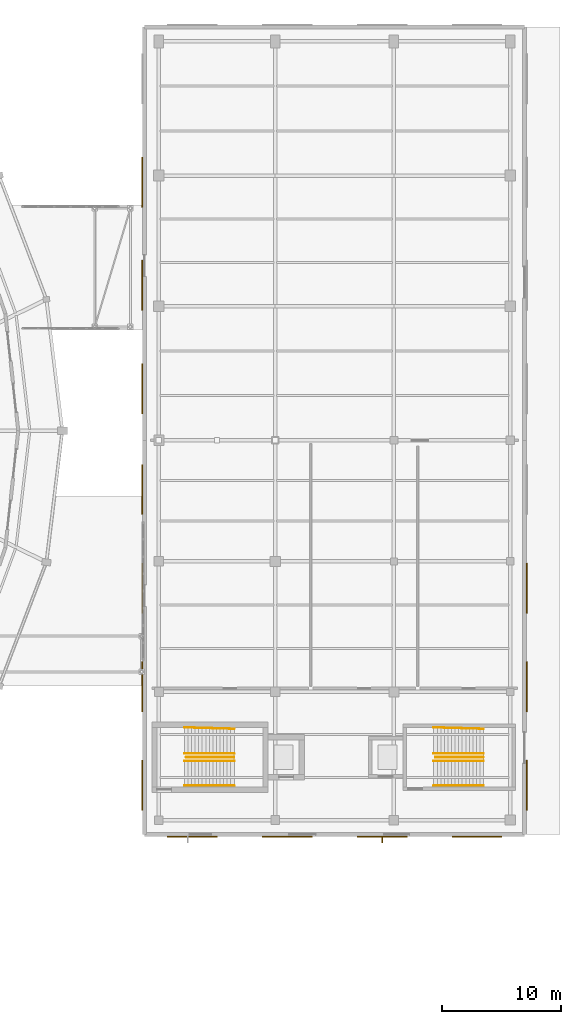
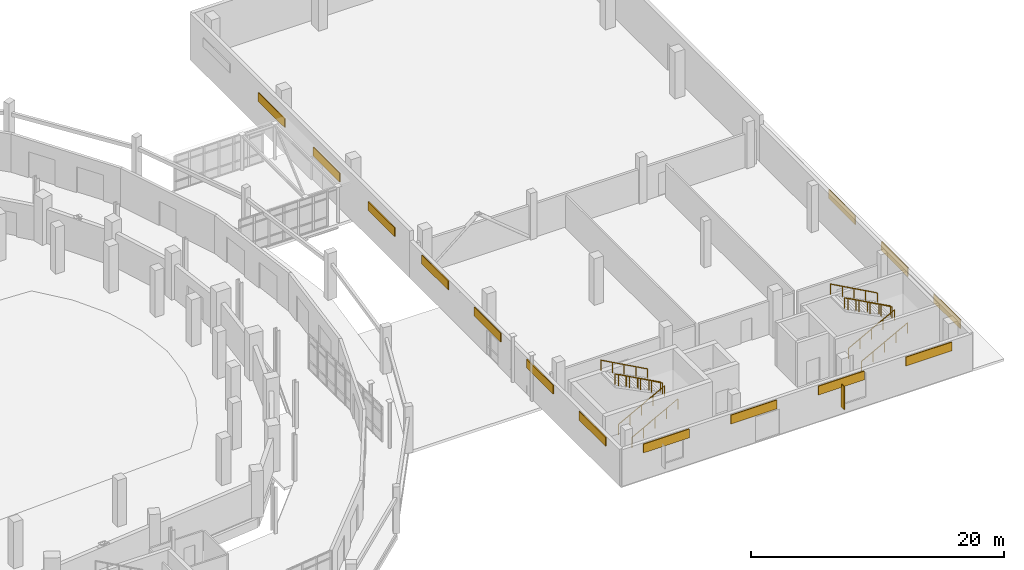
# One storey, part 120 of 122: 14 coverings, 10 railings, 1 shading device.
"""IFC4 building model written with IfcOpenShell, lengths in metres."""

import ifcopenshell
import ifcopenshell.guid

model = None  # the IFC model being written
_history = None  # IfcOwnerHistory: only IFC2X3 demands one
_inside = {}  # id of a spatial element -> (the spatial element, [elements in it])
_under = {}  # id of a project, library or spatial element -> (it, [spatial elements below it])
_declared = {}  # id of a project -> (the project, [libraries it declares])
_typed = {}  # id of a type object -> (the type object, [elements of that type])
_made_of = {}  # id of a material, layer set ... -> (it, [elements and type objects made of it])


def new_model(schema):
    """Start an empty IFC model of exactly this schema.

    Asked for "IFC4X3", IfcOpenShell would pick the latest addendum, in which some entities
    have other attributes; the version numbers below select the first issue.
    IFC2X3 requires an IfcOwnerHistory on every rooted entity: one is made here for all.
    """
    global model, _history
    if schema == "IFC4X3":
        model = ifcopenshell.file(schema_version=(4, 3, 0, 0))
    else:
        model = ifcopenshell.file(schema=schema)
    _inside.clear()
    _under.clear()
    _declared.clear()
    _typed.clear()
    _made_of.clear()
    _history = None
    if model.schema == "IFC2X3":
        org = make("IfcOrganization", Name="unknown")
        user = make(
            "IfcPersonAndOrganization",
            ThePerson=make("IfcPerson", FamilyName="unknown"),
            TheOrganization=org,
        )
        app = make(
            "IfcApplication",
            ApplicationDeveloper=org,
            Version="unknown",
            ApplicationFullName="unknown",
            ApplicationIdentifier="unknown",
        )
        _history = make(
            "IfcOwnerHistory",
            OwningUser=user,
            OwningApplication=app,
            ChangeAction="ADDED",
            CreationDate=0,
        )
    return model


def make(cls, **values):
    """One entity of the class cls with the attributes given. An attribute that is None is left unset."""
    return model.create_entity(
        cls, **{name: value for name, value in values.items() if value is not None}
    )


def rooted(cls, **values):
    """An entity with a GlobalId (a new one), such as an element, a storey or a relation."""
    return make(cls, GlobalId=ifcopenshell.guid.new(), OwnerHistory=_history, **values)


def si_unit(unit_type, name, prefix=None):
    """IfcSIUnit, for example si_unit("LENGTHUNIT", "METRE", prefix="MILLI")."""
    return make("IfcSIUnit", UnitType=unit_type, Prefix=prefix, Name=name)


def assignment(units):
    """IfcUnitAssignment: the units of a project."""
    return None if units is None else make("IfcUnitAssignment", Units=units)


def point(xyz):
    """IfcCartesianPoint."""
    return None if xyz is None else make("IfcCartesianPoint", Coordinates=xyz)


def direction(xyz):
    """IfcDirection."""
    return None if xyz is None else make("IfcDirection", DirectionRatios=xyz)


def frame(location, z_axis=None, x_axis=None):
    """IfcAxis2Placement3D, a coordinate frame: its origin and axes. An axis left out is left unset."""
    return make(
        "IfcAxis2Placement3D",
        Location=point(location),
        Axis=direction(z_axis),
        RefDirection=direction(x_axis),
    )


def frame_2d(location, x_axis=None):
    """IfcAxis2Placement2D, a coordinate frame in the plane: its origin and x axis."""
    return make(
        "IfcAxis2Placement2D", Location=point(location), RefDirection=direction(x_axis)
    )


def origin():
    """The frame at (0, 0, 0) with its axes left unset."""
    return frame((0.0, 0.0, 0.0))


def origin_2d():
    """The frame at (0, 0) in the plane with its x axis left unset."""
    return frame_2d((0.0, 0.0))


def place(relative_to, where):
    """IfcLocalPlacement: puts the frame where relative to a parent placement (None: the world)."""
    return make(
        "IfcLocalPlacement", PlacementRelTo=relative_to, RelativePlacement=where
    )


def context(
    kind, dimensions, precision=None, world=None, true_north=None, identifier=None
):
    """IfcGeometricRepresentationContext, for example the 3D "Model" context."""
    return make(
        "IfcGeometricRepresentationContext",
        ContextIdentifier=identifier,
        ContextType=kind,
        CoordinateSpaceDimension=dimensions,
        Precision=precision,
        WorldCoordinateSystem=world,
        TrueNorth=true_north,
    )


def subcontext(parent, identifier, kind, view, scale=None):
    """IfcGeometricRepresentationSubContext, for example "Body" below "Model"."""
    return make(
        "IfcGeometricRepresentationSubContext",
        ContextIdentifier=identifier,
        ContextType=kind,
        ParentContext=parent,
        TargetScale=scale,
        TargetView=view,
    )


def project(units=None, contexts=None):
    """IfcProject with its units and contexts."""
    return rooted(
        "IfcProject",
        Name="project",
        RepresentationContexts=contexts,
        UnitsInContext=assignment(units),
    )


def spatial(cls, under=None, at=None, **own):
    """A site, building, storey or space (cls), placed at a placement, below another one or the project."""
    s = rooted(cls, ObjectPlacement=at, **own)
    if under is not None:
        _under.setdefault(under.id(), (under, []))[1].append(s)
    return s


def profile(cls, at=None, kind="AREA", **sizes):
    """A parametric profile (cls). Its sizes go by their IFC names, for example OverallWidth=200.0."""
    return make(cls, ProfileType=kind, Position=at, **sizes)


def rectangle(**sizes):
    """IfcRectangleProfileDef."""
    return profile("IfcRectangleProfileDef", **sizes)


def circle(**sizes):
    """IfcCircleProfileDef."""
    return profile("IfcCircleProfileDef", **sizes)


def extrude(swept, where, along, depth):
    """IfcExtrudedAreaSolid: the profile swept, set in the frame where, extruded along a direction by depth."""
    return make(
        "IfcExtrudedAreaSolid",
        SweptArea=swept,
        Position=where,
        ExtrudedDirection=direction(along),
        Depth=depth,
    )


def shape(context_of_items, identifier, shape_type, items):
    """IfcShapeRepresentation: the items that make up one representation, for example the "Body"."""
    return make(
        "IfcShapeRepresentation",
        ContextOfItems=context_of_items,
        RepresentationIdentifier=identifier,
        RepresentationType=shape_type,
        Items=items,
    )


def material(Name=None, Category=None):
    """IfcMaterial."""
    return make("IfcMaterial", Name=Name, Category=Category)


def layer(
    of_material, thickness, ventilated=None, Name=None, Category=None, Priority=None
):
    """IfcMaterialLayer: one layer of a wall or slab, of a material (None: an air gap)."""
    return make(
        "IfcMaterialLayer",
        Material=of_material,
        LayerThickness=thickness,
        IsVentilated=ventilated,
        Name=Name,
        Category=Category,
        Priority=Priority,
    )


def layer_set(layers, Name=None):
    """IfcMaterialLayerSet."""
    return make("IfcMaterialLayerSet", MaterialLayers=layers, LayerSetName=Name)


def made_of(thing, what):
    """Note that an element or type object is made of a material, layer set ...; save() writes the relation."""
    if what is not None:
        _made_of.setdefault(what.id(), (what, []))[1].append(thing)
    return thing


def type_object(cls, material=None, **own):
    """A type object (cls), such as IfcWallType, which elements share."""
    return made_of(rooted(cls, **own), material)


def element(
    cls,
    number,
    at=None,
    inside=None,
    cuts=None,
    type_object=None,
    material=None,
    context=None,
    identifier="Body",
    shape_type=None,
    held_by="IfcProductDefinitionShape",
    body=None,
    shapes=None,
    **own,
):
    """One element of the class cls, such as IfcWall. Its Tag is "e" and its number.

    at: its placement. inside: the storey or other place that contains it. cuts: it is an
    opening in that element (IfcRelVoidsElement). A single representation is given by context,
    identifier, shape_type and body (its items); several are given by shapes. held_by: the class
    of the entity that holds the representations. save() writes the other relations.
    """
    e = rooted(cls, Tag="e%d" % number, ObjectPlacement=at, **own)
    if body is not None:
        shapes = [shape(context, identifier, shape_type, body)]
    if shapes is not None:
        e.Representation = make(held_by, Representations=shapes)
    if inside is not None:
        _inside.setdefault(inside.id(), (inside, []))[1].append(e)
    if cuts is not None:
        rooted(
            "IfcRelVoidsElement", RelatingBuildingElement=cuts, RelatedOpeningElement=e
        )
    if type_object is not None:
        _typed.setdefault(type_object.id(), (type_object, []))[1].append(e)
    return made_of(e, material)


def aggregate(whole, parts):
    """IfcRelAggregates: a whole, such as a stair, and the parts it consists of."""
    return rooted("IfcRelAggregates", RelatingObject=whole, RelatedObjects=parts)


def save(model, path):
    """Write the relations noted so far, then the file.

    IfcRelAggregates (storeys below a building ...), IfcRelContainedInSpatialStructure (elements
    in a storey), IfcRelDefinesByType, IfcRelAssociatesMaterial and IfcRelDeclares: one each for
    every whole, place, type object, material and project.
    """
    for whole, parts in _under.values():
        aggregate(whole, parts)
    for where, things in _inside.values():
        rooted(
            "IfcRelContainedInSpatialStructure",
            RelatedElements=things,
            RelatingStructure=where,
        )
    for kind, things in _typed.values():
        rooted("IfcRelDefinesByType", RelatedObjects=things, RelatingType=kind)
    for what, things in _made_of.values():
        rooted("IfcRelAssociatesMaterial", RelatedObjects=things, RelatingMaterial=what)
    for by, libraries in _declared.values():
        rooted("IfcRelDeclares", RelatingContext=by, RelatedDefinitions=libraries)
    model.write(path)


model = new_model("IFC4")

# Units and contexts
model_context = context("Model", 3, precision=1e-05, world=origin(), true_north=direction((0.0, 1.0)))
body_context = subcontext(model_context, "Body", "Model", "MODEL_VIEW")
ifc_project = project(units=[si_unit("LENGTHUNIT", "METRE"), si_unit("AREAUNIT", "SQUARE_METRE"), si_unit("VOLUMEUNIT", "CUBIC_METRE"), si_unit("PLANEANGLEUNIT", "RADIAN"), si_unit("MASSUNIT", "GRAM", prefix="KILO")], contexts=[model_context])

# Site, building, storey
site_placement = place(None, origin())
site = spatial("IfcSite", under=ifc_project, at=site_placement, CompositionType="ELEMENT")
building_placement = place(site_placement, origin())
building = spatial("IfcBuilding", under=site, at=building_placement, Name="Sohan Crest Arena", CompositionType="ELEMENT")
storey_placement = place(building_placement, origin())
storey = spatial("IfcBuildingStorey", under=building, at=storey_placement, Name="L00", CompositionType="ELEMENT", Elevation=0.0)

# Railings
ifc_material_1 = material(Name="Powder-coated wrought steel balustrade", Category="steel")
railing_type_1 = type_object("IfcRailingType", Name="ARC-GRD-01", PredefinedType="GUARDRAIL", material=ifc_material_1)
for number, where, name in (
    (1, (202.530029296875, 50.5, 2.25), "Stair well slot guard GRD-079"),
    (2, (223.530029296875, 50.5, 2.25), "Stair well slot guard GRD-083"),
):
    element("IfcRailing", number, at=place(storey_placement, frame(where)), inside=storey, type_object=railing_type_1, Name=name, PredefinedType="GUARDRAIL", context=body_context, shape_type="SweptSolid", body=[
        extrude(circle(Radius=0.02392578125, at=origin_2d()), frame((0.0, 0.0, 1.076171875), z_axis=(-0.87313487534, 0.0, 0.487478706678), x_axis=(0.0, -1.0, 0.0)), (0.0, 0.0, 1.0), 4.615478515625),
        extrude(circle(Radius=0.02099609375, at=origin_2d()), origin(), (0.0, 0.0, 1.0), 1.052001953125),
        extrude(circle(Radius=0.02099609375, at=origin_2d()), frame((-1.007568359375, 0.0, 0.5625)), (0.0, 0.0, 1.0), 1.052001953125),
        extrude(circle(Radius=0.02099609375, at=origin_2d()), frame((-2.01513671875, 0.0, 1.125)), (0.0, 0.0, 1.0), 1.052001953125),
        extrude(circle(Radius=0.02099609375, at=origin_2d()), frame((-3.0224609375, 0.0, 1.6875)), (0.0, 0.0, 1.0), 1.052001953125),
        extrude(circle(Radius=0.02099609375, at=origin_2d()), frame((-4.030029296875, 0.0, 2.25)), (0.0, 0.0, 1.0), 1.052001953125),
    ])
ifc_material_2 = material(Name="Brushed stainless steel stair handrail", Category="steel")
railing_type_2 = type_object("IfcRailingType", Name="ARC-HR-01", PredefinedType="HANDRAIL", material=ifc_material_2)
for number, where, name in (
    (3, (198.35009765625, 48.110107421875, 0.0), "Stair pitch handrail HR-257"),
    (4, (198.35009765625, 50.18994140625, 0.0), "Stair pitch handrail HR-258"),
):
    element("IfcRailing", number, at=place(storey_placement, frame(where)), inside=storey, type_object=railing_type_2, Name=name, PredefinedType="HANDRAIL", context=body_context, shape_type="SweptSolid", body=[
        extrude(circle(Radius=0.02392578125, at=origin_2d()), frame((0.0, 0.0, 0.97607421875), z_axis=(0.881477684796, 0.0, 0.472225678258), x_axis=(0.0, 1.0, 0.0)), (0.0, 0.0, 1.0), 4.7646484375),
        extrude(circle(Radius=0.02099609375, at=origin_2d()), origin(), (0.0, 0.0, 1.0), 0.951904296875),
        extrude(circle(Radius=0.02099609375, at=origin_2d()), frame((1.050048828125, 0.0, 0.5625)), (0.0, 0.0, 1.0), 0.951904296875),
        extrude(circle(Radius=0.02099609375, at=origin_2d()), frame((2.10009765625, 0.0, 1.125)), (0.0, 0.0, 1.0), 0.951904296875),
        extrude(circle(Radius=0.02099609375, at=origin_2d()), frame((3.14990234375, 0.0, 1.6875)), (0.0, 0.0, 1.0), 0.951904296875),
        extrude(circle(Radius=0.02099609375, at=origin_2d()), frame((4.199951171875, 0.0, 2.25)), (0.0, 0.0, 1.0), 0.951904296875),
    ])
railing_1_placement = place(storey_placement, frame((202.550048828125, 50.81005859375, 2.25)))
element("IfcRailing", 5, at=railing_1_placement, inside=storey, type_object=railing_type_2, Name="Stair pitch handrail HR-259", PredefinedType="HANDRAIL", context=body_context, shape_type="SweptSolid", body=[
    extrude(circle(Radius=0.02392578125, at=origin_2d()), frame((0.0, 0.0, 0.97607421875), z_axis=(-0.881477684796, 0.0, 0.472225678258), x_axis=(0.0, -1.0, 0.0)), (0.0, 0.0, 1.0), 4.7646484375),
    extrude(circle(Radius=0.02099609375, at=origin_2d()), origin(), (0.0, 0.0, 1.0), 0.951904296875),
    extrude(circle(Radius=0.02099609375, at=origin_2d()), frame((-1.050048828125, 0.0, 0.5625)), (0.0, 0.0, 1.0), 0.951904296875),
    extrude(circle(Radius=0.02099609375, at=origin_2d()), frame((-2.10009765625, 0.0, 1.125)), (0.0, 0.0, 1.0), 0.951904296875),
    extrude(circle(Radius=0.02099609375, at=origin_2d()), frame((-3.14990234375, 0.0, 1.6875)), (0.0, 0.0, 1.0), 0.951904296875),
    extrude(circle(Radius=0.02099609375, at=origin_2d()), frame((-4.199951171875, 0.0, 2.25)), (0.0, 0.0, 1.0), 0.951904296875),
])
railing_2_placement = place(storey_placement, frame((202.550048828125, 52.889892578125, 2.25)))
element("IfcRailing", 6, at=railing_2_placement, inside=storey, type_object=railing_type_2, Name="Stair pitch handrail HR-260", PredefinedType="HANDRAIL", context=body_context, shape_type="SweptSolid", body=[
    extrude(circle(Radius=0.02392578125, at=origin_2d()), frame((0.0, 0.0, 0.97607421875), z_axis=(-0.881197710057, 0.025201957411, 0.472075690047), x_axis=(-0.028587973606, -0.999591280357, 0.0)), (0.0, 0.0, 1.0), 4.76611328125),
    extrude(circle(Radius=0.02099609375, at=origin_2d()), origin(), (0.0, 0.0, 1.0), 0.951904296875),
    extrude(circle(Radius=0.02099609375, at=origin_2d()), frame((-1.050048828125, 0.030029296875, 0.5625)), (0.0, 0.0, 1.0), 0.951904296875),
    extrude(circle(Radius=0.02099609375, at=origin_2d()), frame((-2.10009765625, 0.06005859375, 1.125)), (0.0, 0.0, 1.0), 0.951904296875),
    extrude(circle(Radius=0.02099609375, at=origin_2d()), frame((-3.14990234375, 0.090087890625, 1.6875)), (0.0, 0.0, 1.0), 0.951904296875),
    extrude(circle(Radius=0.02099609375, at=origin_2d()), frame((-4.199951171875, 0.1201171875, 2.25)), (0.0, 0.0, 1.0), 0.951904296875),
])
for number, where, name in (
    (7, (219.35009765625, 48.110107421875, 0.0), "Stair pitch handrail HR-269"),
    (8, (219.35009765625, 50.18994140625, 0.0), "Stair pitch handrail HR-270"),
):
    element("IfcRailing", number, at=place(storey_placement, frame(where)), inside=storey, type_object=railing_type_2, Name=name, PredefinedType="HANDRAIL", context=body_context, shape_type="SweptSolid", body=[
        extrude(circle(Radius=0.02392578125, at=origin_2d()), frame((0.0, 0.0, 0.97607421875), z_axis=(0.881477684796, 0.0, 0.472225678258), x_axis=(0.0, 1.0, 0.0)), (0.0, 0.0, 1.0), 4.7646484375),
        extrude(circle(Radius=0.02099609375, at=origin_2d()), origin(), (0.0, 0.0, 1.0), 0.951904296875),
        extrude(circle(Radius=0.02099609375, at=origin_2d()), frame((1.050048828125, 0.0, 0.5625)), (0.0, 0.0, 1.0), 0.951904296875),
        extrude(circle(Radius=0.02099609375, at=origin_2d()), frame((2.10009765625, 0.0, 1.125)), (0.0, 0.0, 1.0), 0.951904296875),
        extrude(circle(Radius=0.02099609375, at=origin_2d()), frame((3.14990234375, 0.0, 1.6875)), (0.0, 0.0, 1.0), 0.951904296875),
        extrude(circle(Radius=0.02099609375, at=origin_2d()), frame((4.199951171875, 0.0, 2.25)), (0.0, 0.0, 1.0), 0.951904296875),
    ])
railing_3_placement = place(storey_placement, frame((223.550048828125, 50.81005859375, 2.25)))
element("IfcRailing", 9, at=railing_3_placement, inside=storey, type_object=railing_type_2, Name="Stair pitch handrail HR-271", PredefinedType="HANDRAIL", context=body_context, shape_type="SweptSolid", body=[
    extrude(circle(Radius=0.02392578125, at=origin_2d()), frame((0.0, 0.0, 0.97607421875), z_axis=(-0.881477684796, 0.0, 0.472225678258), x_axis=(0.0, -1.0, 0.0)), (0.0, 0.0, 1.0), 4.7646484375),
    extrude(circle(Radius=0.02099609375, at=origin_2d()), origin(), (0.0, 0.0, 1.0), 0.951904296875),
    extrude(circle(Radius=0.02099609375, at=origin_2d()), frame((-1.050048828125, 0.0, 0.5625)), (0.0, 0.0, 1.0), 0.951904296875),
    extrude(circle(Radius=0.02099609375, at=origin_2d()), frame((-2.10009765625, 0.0, 1.125)), (0.0, 0.0, 1.0), 0.951904296875),
    extrude(circle(Radius=0.02099609375, at=origin_2d()), frame((-3.14990234375, 0.0, 1.6875)), (0.0, 0.0, 1.0), 0.951904296875),
    extrude(circle(Radius=0.02099609375, at=origin_2d()), frame((-4.199951171875, 0.0, 2.25)), (0.0, 0.0, 1.0), 0.951904296875),
])
railing_4_placement = place(storey_placement, frame((223.550048828125, 52.889892578125, 2.25)))
element("IfcRailing", 10, at=railing_4_placement, inside=storey, type_object=railing_type_2, Name="Stair pitch handrail HR-272", PredefinedType="HANDRAIL", context=body_context, shape_type="SweptSolid", body=[
    extrude(circle(Radius=0.02392578125, at=origin_2d()), frame((0.0, 0.0, 0.97607421875), z_axis=(-0.881197710057, 0.025201957411, 0.472075690047), x_axis=(-0.028587973606, -0.999591280357, 0.0)), (0.0, 0.0, 1.0), 4.76611328125),
    extrude(circle(Radius=0.02099609375, at=origin_2d()), origin(), (0.0, 0.0, 1.0), 0.951904296875),
    extrude(circle(Radius=0.02099609375, at=origin_2d()), frame((-1.050048828125, 0.030029296875, 0.5625)), (0.0, 0.0, 1.0), 0.951904296875),
    extrude(circle(Radius=0.02099609375, at=origin_2d()), frame((-2.10009765625, 0.06005859375, 1.125)), (0.0, 0.0, 1.0), 0.951904296875),
    extrude(circle(Radius=0.02099609375, at=origin_2d()), frame((-3.14990234375, 0.090087890625, 1.6875)), (0.0, 0.0, 1.0), 0.951904296875),
    extrude(circle(Radius=0.02099609375, at=origin_2d()), frame((-4.199951171875, 0.1201171875, 2.25)), (0.0, 0.0, 1.0), 0.951904296875),
])

# Shading device
ifc_material_3 = material(Name="Glazed terracotta ceramic solar fin", Category="masonry")
ifc_layer_1 = layer(ifc_material_3, 0.070068359375, Name="Glazed terracotta ceramic solar fin")
ifc_layer_set_1 = layer_set([ifc_layer_1], Name="Glazed terracotta ceramic solar fin")
shading_device_type = type_object("IfcShadingDeviceType", Name="ARC-SHD-FIN1", PredefinedType="USERDEFINED", material=ifc_layer_set_1)
shading_device_placement = place(storey_placement, frame((215.02001953125, 43.56494140625, 0.75), z_axis=(0.0, 0.0, 1.0), x_axis=(1.0, 0.0, 0.0)))
element("IfcShadingDevice", 11, at=shading_device_placement, inside=storey, type_object=shading_device_type, Name="Solar shading fin FIN-002", ObjectType="FIN", PredefinedType="USERDEFINED", context=body_context, shape_type="SweptSolid", body=[
    extrude(rectangle(XDim=0.070068359375, YDim=0.550048828125, at=origin_2d()), origin(), (0.0, 0.0, 1.0), 2.199951171875),
])

# Coverings
ifc_material_4 = material(Name="Honed dark basalt stone cladding", Category="masonry")
ifc_layer_2 = layer(ifc_material_4, 0.0849609375, Name="Honed dark basalt stone cladding")
ifc_layer_set_2 = layer_set([ifc_layer_2], Name="Honed dark basalt stone cladding")
covering_type = type_object("IfcCoveringType", Name="COV-BAS", PredefinedType="CLADDING", material=ifc_layer_set_2)
for number, where, z_axis, x_axis, name in (
    (12, (199.0, 43.79296875, 2.625), (0.0, 0.0, 1.0), (1.0, 0.0, 0.0), "Dark basalt facade panel DB-0765"),
    (13, (207.0, 43.79296875, 2.625), (0.0, 0.0, 1.0), (1.0, 0.0, 0.0), "Dark basalt facade panel DB-0766"),
    (14, (215.0, 43.79296875, 2.625), (0.0, 0.0, 1.0), (1.0, 0.0, 0.0), "Dark basalt facade panel DB-0767"),
    (15, (223.0, 43.79296875, 2.625), (0.0, 0.0, 1.0), (1.0, 0.0, 0.0), "Dark basalt facade panel DB-0768"),
    (16, (227.20703125, 48.14990234375, 2.625), (0.0, 0.0, 1.0), (0.0, 1.0, 0.0), "Dark basalt facade panel DB-0769"),
    (17, (227.20703125, 56.449951171875, 2.625), (0.0, 0.0, 1.0), (0.0, 1.0, 0.0), "Dark basalt facade panel DB-0770"),
    (18, (227.20703125, 64.75, 2.625), (0.0, 0.0, 1.0), (0.0, 1.0, 0.0), "Dark basalt facade panel DB-0771"),
    (19, (194.79296875, 98.949951171875, 2.625), (0.0, 0.0, 1.0), (0.0, -1.0, 0.0), "Dark basalt facade panel DB-0782"),
    (20, (194.79296875, 90.25, 2.625), (0.0, 0.0, 1.0), (0.0, -1.0, 0.0), "Dark basalt facade panel DB-0783"),
    (21, (194.79296875, 81.550048828125, 2.625), (0.0, 0.0, 1.0), (0.0, -1.0, 0.0), "Dark basalt facade panel DB-0784"),
    (22, (194.79296875, 73.050048828125, 2.625), (0.0, 0.0, 1.0), (0.0, -1.0, 0.0), "Dark basalt facade panel DB-0785"),
    (23, (194.79296875, 64.75, 2.625), (0.0, 0.0, 1.0), (0.0, -1.0, 0.0), "Dark basalt facade panel DB-0786"),
    (24, (194.79296875, 56.449951171875, 2.625), (0.0, 0.0, 1.0), (0.0, -1.0, 0.0), "Dark basalt facade panel DB-0787"),
    (25, (194.79296875, 48.14990234375, 2.625), (0.0, 0.0, 1.0), (0.0, -1.0, 0.0), "Dark basalt facade panel DB-0788"),
):
    element("IfcCovering", number, at=place(storey_placement, frame(where, z_axis=z_axis, x_axis=x_axis)), inside=storey, type_object=covering_type, Name=name, PredefinedType="CLADDING", context=body_context, shape_type="SweptSolid", body=[
        extrude(rectangle(XDim=4.199951171875, YDim=0.0849609375, at=origin_2d()), origin(), (0.0, 0.0, 1.0), 0.85009765625),
    ])

save(model, "model.ifc")
